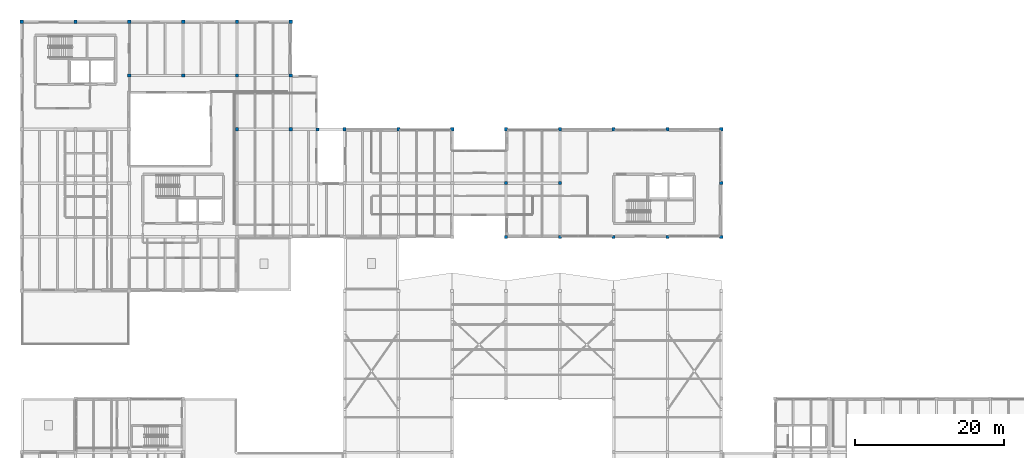
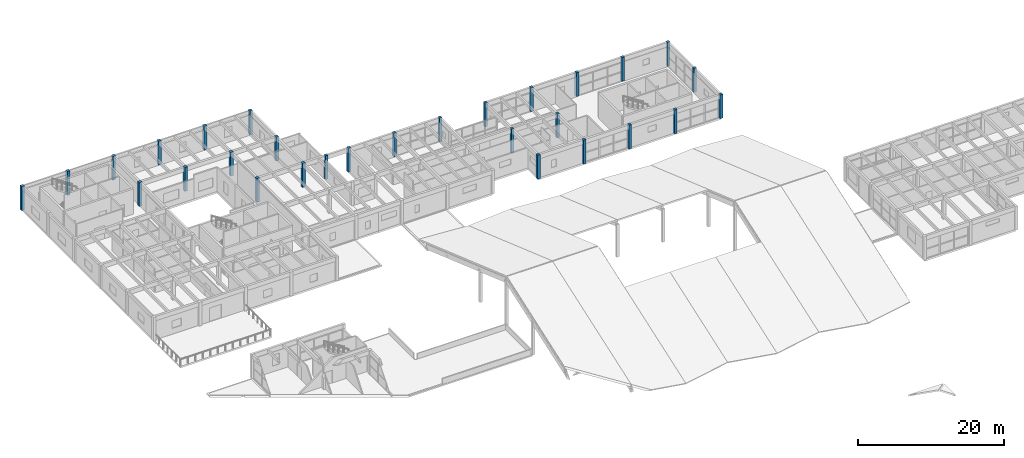
# One storey, part 3 of 68: 29 columns.
"""IFC4 building model written with IfcOpenShell, lengths in metres."""

from ifc_helpers import new_model, si_unit, direction, frame, origin, origin_2d, place, context, subcontext, project, spatial, rectangle, extrude, material, material_profile, profile_set, type_object, element, save


model = new_model("IFC4")

# Units and contexts
model_context = context("Model", 3, precision=1e-05, world=origin(), true_north=direction((0.0, 1.0)))
body_context = subcontext(model_context, "Body", "Model", "MODEL_VIEW")
ifc_project = project(units=[si_unit("LENGTHUNIT", "METRE"), si_unit("AREAUNIT", "SQUARE_METRE"), si_unit("VOLUMEUNIT", "CUBIC_METRE"), si_unit("PLANEANGLEUNIT", "RADIAN"), si_unit("MASSUNIT", "GRAM", prefix="KILO")], contexts=[model_context])

# Site, building, storey
site_placement = place(None, origin())
site = spatial("IfcSite", under=ifc_project, at=site_placement, CompositionType="ELEMENT")
building_placement = place(site_placement, origin())
building = spatial("IfcBuilding", under=site, at=building_placement, Name="Bramvelor Terrace Health Centre", CompositionType="ELEMENT")
storey_placement = place(building_placement, frame((0.0, 0.0, 9.300048828125)))
storey = spatial("IfcBuildingStorey", under=building, at=storey_placement, Name="L03", CompositionType="ELEMENT", Elevation=9.300048828125)

# Columns
ifc_material_1 = material(Name="Glulam GL28h", Category="wood")
ifc_material_profile_1 = material_profile(ifc_material_1, rectangle(XDim=0.39990234375, YDim=0.39990234375, at=origin_2d()), Name="GL 400x400")
ifc_profile_set_1 = profile_set([ifc_material_profile_1], Name="Glulam GL28h")
column_type_1 = type_object("IfcColumnType", Name="COL-GL-400-EXT", PredefinedType="COLUMN", material=ifc_profile_set_1)
column_placement = place(storey_placement, frame((39.60009765625, 100.800048828125, 0.0), z_axis=(0.0, 0.0, 1.0), x_axis=(1.0, 0.0, 0.0)))
element("IfcColumn", 1, at=column_placement, inside=storey, type_object=column_type_1, Name="L03 Terrace Setback Column (39.6, 100.8)", PredefinedType="COLUMN", context=body_context, shape_type="SweptSolid", body=[
    extrude(rectangle(XDim=0.39990234375, YDim=0.39990234375, at=origin_2d()), origin(), (0.0, 0.0, 1.0), 3.97998046875),
])
ifc_material_2 = material(Name="Glulam GL28h", Category="wood")
ifc_material_profile_2 = material_profile(ifc_material_2, rectangle(XDim=0.419921875, YDim=0.419921875, at=origin_2d()), Name="GL 420x420")
ifc_profile_set_2 = profile_set([ifc_material_profile_2], Name="Glulam GL28h")
column_type_2 = type_object("IfcColumnType", Name="COL-GL-420", PredefinedType="COLUMN", material=ifc_profile_set_2)
for number, where, z_axis, x_axis, name in (
    (2, (43.199951171875, 100.800048828125, 0.0), (0.0, 0.0, 1.0), (1.0, 0.0, 0.0), "L03 Column (43.2, 100.8)"),
    (3, (50.39990234375, 100.800048828125, 0.0), (0.0, 0.0, 1.0), (1.0, 0.0, 0.0), "L03 Column (50.4, 100.8)"),
    (4, (57.60009765625, 100.800048828125, 0.0), (0.0, 0.0, 1.0), (1.0, 0.0, 0.0), "L03 Column (57.6, 100.8)"),
    (5, (64.800048828125, 86.39990234375, 0.0), (0.0, 0.0, 1.0), (1.0, 0.0, 0.0), "L03 Column (64.8, 86.4)"),
    (6, (64.800048828125, 93.60009765625, 0.0), (0.0, 0.0, 1.0), (1.0, 0.0, 0.0), "L03 Column (64.8, 93.6)"),
    (7, (64.800048828125, 100.800048828125, 0.0), (0.0, 0.0, 1.0), (1.0, 0.0, 0.0), "L03 Column (64.8, 100.8)"),
    (8, (72.0, 86.39990234375, 0.0), (0.0, 0.0, 1.0), (1.0, 0.0, 0.0), "L03 Column (72.0, 86.4)"),
    (9, (72.0, 93.60009765625, 0.0), (0.0, 0.0, 1.0), (1.0, 0.0, 0.0), "L03 Column (72.0, 93.6)"),
    (10, (72.0, 100.800048828125, 0.0), (0.0, 0.0, 1.0), (1.0, 0.0, 0.0), "L03 Column (72.0, 100.8)"),
    (11, (79.199951171875, 86.39990234375, 0.0), (0.0, 0.0, 1.0), (1.0, 0.0, 0.0), "L03 Column (79.2, 86.4)"),
    (12, (79.199951171875, 100.800048828125, 0.0), (0.0, 0.0, 1.0), (1.0, 0.0, 0.0), "L03 Column (79.2, 100.8)"),
    (13, (86.39990234375, 86.39990234375, 0.0), (0.0, 0.0, 1.0), (1.0, 0.0, 0.0), "L03 Column (86.4, 86.4)"),
    (14, (86.39990234375, 100.800048828125, 0.0), (0.0, 0.0, 1.0), (1.0, 0.0, 0.0), "L03 Column (86.4, 100.8)"),
    (15, (93.60009765625, 86.39990234375, 0.0), (0.0, 0.0, 1.0), (1.0, 0.0, 0.0), "L03 Column (93.6, 86.4)"),
    (16, (93.60009765625, 93.60009765625, 0.0), (0.0, 0.0, 1.0), (1.0, 0.0, 0.0), "L03 Column (93.6, 93.6)"),
    (17, (93.60009765625, 100.800048828125, 0.0), (0.0, 0.0, 1.0), (1.0, 0.0, 0.0), "L03 Column (93.6, 100.8)"),
):
    element("IfcColumn", number, at=place(storey_placement, frame(where, z_axis=z_axis, x_axis=x_axis)), inside=storey, type_object=column_type_2, Name=name, PredefinedType="COLUMN", context=body_context, shape_type="SweptSolid", body=[
        extrude(rectangle(XDim=0.419921875, YDim=0.419921875, at=origin_2d()), origin(), (0.0, 0.0, 1.0), 3.989990234375),
    ])
ifc_material_3 = material(Name="Glulam GL28h", Category="wood")
ifc_material_profile_3 = material_profile(ifc_material_3, rectangle(XDim=0.449951171875, YDim=0.449951171875, at=origin_2d()), Name="GL 450x450")
ifc_profile_set_3 = profile_set([ifc_material_profile_3], Name="Glulam GL28h")
column_type_3 = type_object("IfcColumnType", Name="COL-GL-450", PredefinedType="COLUMN", material=ifc_profile_set_3)
for number, where, z_axis, x_axis, name in (
    (18, (14.39990234375, 108.0, 0.0), (0.0, 0.0, 1.0), (1.0, 0.0, 0.0), "L03 Column (14.4, 108.0)"),
    (19, (21.60009765625, 108.0, 0.0), (0.0, 0.0, 1.0), (1.0, 0.0, 0.0), "L03 Column (21.6, 108.0)"),
    (20, (28.800048828125, 100.800048828125, 0.0), (0.0, 0.0, 1.0), (1.0, 0.0, 0.0), "L03 Column (28.8, 100.8)"),
    (21, (28.800048828125, 108.0, 0.0), (0.0, 0.0, 1.0), (1.0, 0.0, 0.0), "L03 Column (28.8, 108.0)"),
    (22, (36.0, 100.800048828125, 0.0), (0.0, 0.0, 1.0), (1.0, 0.0, 0.0), "L03 Column (36.0, 100.8)"),
    (23, (36.0, 108.0, 0.0), (0.0, 0.0, 1.0), (1.0, 0.0, 0.0), "L03 Column (36.0, 108.0)"),
):
    element("IfcColumn", number, at=place(storey_placement, frame(where, z_axis=z_axis, x_axis=x_axis)), inside=storey, type_object=column_type_3, Name=name, PredefinedType="COLUMN", context=body_context, shape_type="SweptSolid", body=[
        extrude(rectangle(XDim=0.449951171875, YDim=0.449951171875, at=origin_2d()), origin(), (0.0, 0.0, 1.0), 3.989990234375),
    ])
ifc_material_4 = material(Name="Glulam GL28h", Category="wood")
ifc_material_profile_4 = material_profile(ifc_material_4, rectangle(XDim=0.449951171875, YDim=0.449951171875, at=origin_2d()), Name="GL 450x450")
ifc_profile_set_4 = profile_set([ifc_material_profile_4], Name="Glulam GL28h")
column_type_4 = type_object("IfcColumnType", Name="COL-GL-450-EXT", PredefinedType="COLUMN", material=ifc_profile_set_4)
for number, where, z_axis, x_axis, name in (
    (24, (0.0, 115.199951171875, 0.0), (0.0, 0.0, 1.0), (1.0, 0.0, 0.0), "L03 Column (0.0, 115.2)"),
    (25, (7.199951171875, 115.199951171875, 0.0), (0.0, 0.0, 1.0), (1.0, 0.0, 0.0), "L03 Column (7.2, 115.2)"),
    (26, (14.39990234375, 115.199951171875, 0.0), (0.0, 0.0, 1.0), (1.0, 0.0, 0.0), "L03 Column (14.4, 115.2)"),
    (27, (21.60009765625, 115.199951171875, 0.0), (0.0, 0.0, 1.0), (1.0, 0.0, 0.0), "L03 Column (21.6, 115.2)"),
    (28, (28.800048828125, 115.199951171875, 0.0), (0.0, 0.0, 1.0), (1.0, 0.0, 0.0), "L03 Column (28.8, 115.2)"),
    (29, (36.0, 115.199951171875, 0.0), (0.0, 0.0, 1.0), (1.0, 0.0, 0.0), "L03 Column (36.0, 115.2)"),
):
    element("IfcColumn", number, at=place(storey_placement, frame(where, z_axis=z_axis, x_axis=x_axis)), inside=storey, type_object=column_type_4, Name=name, PredefinedType="COLUMN", context=body_context, shape_type="SweptSolid", body=[
        extrude(rectangle(XDim=0.449951171875, YDim=0.449951171875, at=origin_2d()), origin(), (0.0, 0.0, 1.0), 3.989990234375),
    ])

save(model, "model.ifc")
